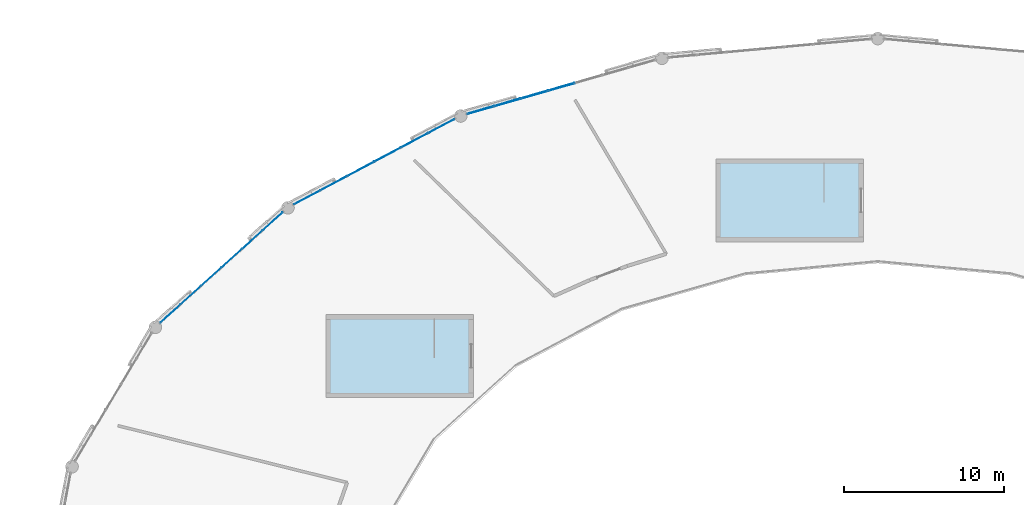
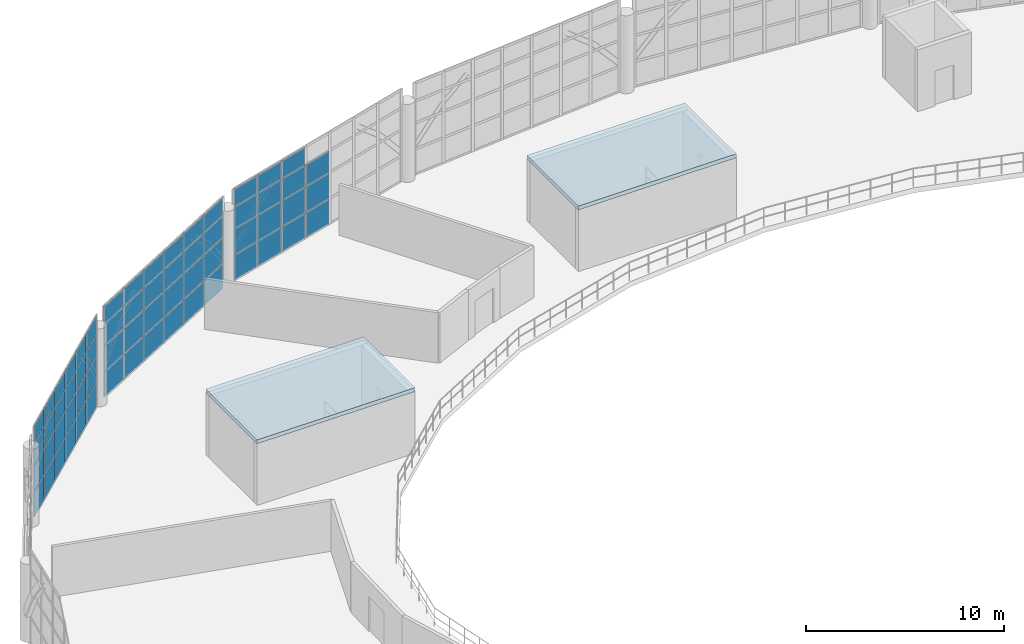
# One storey, part 69 of 109: 63 plates, 2 slabs, 3 elements without a shape of their own.
"""IFC4 building model written with IfcOpenShell, lengths in metres."""

from ifc_helpers import new_model, si_unit, direction, frame, origin, origin_2d, place, context, subcontext, project, spatial, polyline, rectangle, outline, extrude, material, layer, layer_set, type_object, element, aggregate, save


model = new_model("IFC4")

# Units and contexts
model_context = context("Model", 3, precision=1e-05, world=origin(), true_north=direction((0.0, 1.0)))
body_context = subcontext(model_context, "Body", "Model", "MODEL_VIEW")
ifc_project = project(units=[si_unit("LENGTHUNIT", "METRE"), si_unit("AREAUNIT", "SQUARE_METRE"), si_unit("VOLUMEUNIT", "CUBIC_METRE"), si_unit("PLANEANGLEUNIT", "RADIAN"), si_unit("MASSUNIT", "GRAM", prefix="KILO")], contexts=[model_context])

# Site, building, storey
site_placement = place(None, origin())
site = spatial("IfcSite", under=ifc_project, at=site_placement, CompositionType="ELEMENT")
building_placement = place(site_placement, origin())
building = spatial("IfcBuilding", under=site, at=building_placement, Name="Kivolera Central Railway Station", CompositionType="ELEMENT")
storey_placement = place(building_placement, frame((0.0, 0.0, 9.60009765625)))
storey = spatial("IfcBuildingStorey", under=building, at=storey_placement, Name="L02", CompositionType="ELEMENT", Elevation=9.60009765625)

# Curtain wall, plates
ifc_material_1 = material(Name="Anodised aluminium", Category="aluminium")
ifc_layer_1 = layer(ifc_material_1, 0.179931640625, Name="Anodised aluminium")
ifc_layer_set_1 = layer_set([ifc_layer_1], Name="Anodised aluminium")
curtain_wall_type_1 = type_object("IfcCurtainWallType", Name="CW-SYS-09", PredefinedType="NOTDEFINED", material=ifc_layer_set_1)
curtain_wall_1_placement = place(storey_placement, origin())
curtain_wall_1 = element("IfcCurtainWall", 1, at=curtain_wall_1_placement, inside=storey, type_object=curtain_wall_type_1, Name="L02 Curtain Wall CW-L02-OVL-08", PredefinedType="NOTDEFINED")
ifc_material_2 = material(Name="Double low-E laminated glass", Category="glass")
ifc_layer_2 = layer(ifc_material_2, 0.02587890625, Name="Double low-E laminated glass")
ifc_layer_set_2 = layer_set([ifc_layer_2], Name="Double low-E laminated glass")
plate_type_1 = type_object("IfcPlateType", Name="CWP-GLZ-1", PredefinedType="CURTAIN_PANEL", material=ifc_layer_set_2)
plate_1_placement = place(storey_placement, frame((28.43701171875, 116.09765625, 0.057861328125), z_axis=(0.0, 0.0, 1.0), x_axis=(0.883170250772, 0.46905256438, 0.0)))
plate_1 = element("IfcPlate", 2, at=plate_1_placement, type_object=plate_type_1, Name="CW-09 panel 1.1", PredefinedType="CURTAIN_PANEL", context=body_context, shape_type="SweptSolid", body=[
    extrude(rectangle(XDim=1.818115234375, YDim=0.02587890625, at=origin_2d()), origin(), (0.0, 0.0, 1.0), 1.51904296875),
])
plate_2_placement = place(storey_placement, frame((28.43701171875, 116.09765625, 1.623046875), z_axis=(0.0, 0.0, 1.0), x_axis=(0.883170250772, 0.46905256438, 0.0)))
plate_2 = element("IfcPlate", 3, at=plate_2_placement, type_object=plate_type_1, Name="CW-09 panel 1.2", PredefinedType="CURTAIN_PANEL", context=body_context, shape_type="SweptSolid", body=[
    extrude(rectangle(XDim=1.818115234375, YDim=0.02587890625, at=origin_2d()), origin(), (0.0, 0.0, 1.0), 1.553955078125),
])
plate_3_placement = place(storey_placement, frame((28.43701171875, 116.09765625, 3.22314453125), z_axis=(0.0, 0.0, 1.0), x_axis=(0.883170250772, 0.46905256438, 0.0)))
plate_3 = element("IfcPlate", 4, at=plate_3_placement, type_object=plate_type_1, Name="CW-09 panel 1.3", PredefinedType="CURTAIN_PANEL", context=body_context, shape_type="SweptSolid", body=[
    extrude(rectangle(XDim=1.818115234375, YDim=0.02587890625, at=origin_2d()), origin(), (0.0, 0.0, 1.0), 1.303955078125),
])
plate_4_placement = place(storey_placement, frame((28.43701171875, 116.09765625, 4.57275390625), z_axis=(0.0, 0.0, 1.0), x_axis=(0.883170250772, 0.46905256438, 0.0)))
plate_4 = element("IfcPlate", 5, at=plate_4_placement, type_object=plate_type_1, Name="CW-09 panel 1.4", PredefinedType="CURTAIN_PANEL", context=body_context, shape_type="SweptSolid", body=[
    extrude(rectangle(XDim=1.818115234375, YDim=0.02587890625, at=origin_2d()), origin(), (0.0, 0.0, 1.0), 1.069091796875),
])
plate_5_placement = place(storey_placement, frame((30.09912109375, 116.980224609375, 0.057861328125), z_axis=(0.0, 0.0, 1.0), x_axis=(0.883170250772, 0.46905256438, 0.0)))
plate_5 = element("IfcPlate", 6, at=plate_5_placement, type_object=plate_type_1, Name="CW-09 panel 2.1", PredefinedType="CURTAIN_PANEL", context=body_context, shape_type="SweptSolid", body=[
    extrude(rectangle(XDim=1.853271484375, YDim=0.02587890625, at=origin_2d()), origin(), (0.0, 0.0, 1.0), 1.51904296875),
])
plate_6_placement = place(storey_placement, frame((30.09912109375, 116.980224609375, 1.623046875), z_axis=(0.0, 0.0, 1.0), x_axis=(0.883170250772, 0.46905256438, 0.0)))
plate_6 = element("IfcPlate", 7, at=plate_6_placement, type_object=plate_type_1, Name="CW-09 panel 2.2", PredefinedType="CURTAIN_PANEL", context=body_context, shape_type="SweptSolid", body=[
    extrude(rectangle(XDim=1.853271484375, YDim=0.02587890625, at=origin_2d()), origin(), (0.0, 0.0, 1.0), 1.553955078125),
])
plate_7_placement = place(storey_placement, frame((30.09912109375, 116.980224609375, 3.22314453125), z_axis=(0.0, 0.0, 1.0), x_axis=(0.883170250772, 0.46905256438, 0.0)))
plate_7 = element("IfcPlate", 8, at=plate_7_placement, type_object=plate_type_1, Name="CW-09 panel 2.3", PredefinedType="CURTAIN_PANEL", context=body_context, shape_type="SweptSolid", body=[
    extrude(rectangle(XDim=1.853271484375, YDim=0.02587890625, at=origin_2d()), origin(), (0.0, 0.0, 1.0), 1.303955078125),
])
plate_8_placement = place(storey_placement, frame((30.09912109375, 116.980224609375, 4.57275390625), z_axis=(0.0, 0.0, 1.0), x_axis=(0.883170250772, 0.46905256438, 0.0)))
plate_8 = element("IfcPlate", 9, at=plate_8_placement, type_object=plate_type_1, Name="CW-09 panel 2.4", PredefinedType="CURTAIN_PANEL", context=body_context, shape_type="SweptSolid", body=[
    extrude(rectangle(XDim=1.853271484375, YDim=0.02587890625, at=origin_2d()), origin(), (0.0, 0.0, 1.0), 1.069091796875),
])
plate_9_placement = place(storey_placement, frame((31.7763671875, 117.87109375, 0.057861328125), z_axis=(0.0, 0.0, 1.0), x_axis=(0.883170250772, 0.46905256438, 0.0)))
plate_9 = element("IfcPlate", 10, at=plate_9_placement, type_object=plate_type_1, Name="CW-09 panel 3.1", PredefinedType="CURTAIN_PANEL", context=body_context, shape_type="SweptSolid", body=[
    extrude(rectangle(XDim=1.853271484375, YDim=0.02587890625, at=origin_2d()), origin(), (0.0, 0.0, 1.0), 1.51904296875),
])
plate_10_placement = place(storey_placement, frame((31.7763671875, 117.87109375, 1.623046875), z_axis=(0.0, 0.0, 1.0), x_axis=(0.883170250772, 0.46905256438, 0.0)))
plate_10 = element("IfcPlate", 11, at=plate_10_placement, type_object=plate_type_1, Name="CW-09 panel 3.2", PredefinedType="CURTAIN_PANEL", context=body_context, shape_type="SweptSolid", body=[
    extrude(rectangle(XDim=1.853271484375, YDim=0.02587890625, at=origin_2d()), origin(), (0.0, 0.0, 1.0), 1.553955078125),
])
plate_11_placement = place(storey_placement, frame((31.7763671875, 117.87109375, 3.22314453125), z_axis=(0.0, 0.0, 1.0), x_axis=(0.883170250772, 0.46905256438, 0.0)))
plate_11 = element("IfcPlate", 12, at=plate_11_placement, type_object=plate_type_1, Name="CW-09 panel 3.3", PredefinedType="CURTAIN_PANEL", context=body_context, shape_type="SweptSolid", body=[
    extrude(rectangle(XDim=1.853271484375, YDim=0.02587890625, at=origin_2d()), origin(), (0.0, 0.0, 1.0), 1.303955078125),
])
plate_12_placement = place(storey_placement, frame((31.7763671875, 117.87109375, 4.57275390625), z_axis=(0.0, 0.0, 1.0), x_axis=(0.883170250772, 0.46905256438, 0.0)))
plate_12 = element("IfcPlate", 13, at=plate_12_placement, type_object=plate_type_1, Name="CW-09 panel 3.4", PredefinedType="CURTAIN_PANEL", context=body_context, shape_type="SweptSolid", body=[
    extrude(rectangle(XDim=1.853271484375, YDim=0.02587890625, at=origin_2d()), origin(), (0.0, 0.0, 1.0), 1.069091796875),
])
plate_13_placement = place(storey_placement, frame((33.45361328125, 118.761962890625, 0.057861328125), z_axis=(0.0, 0.0, 1.0), x_axis=(0.883170250772, 0.46905256438, 0.0)))
plate_13 = element("IfcPlate", 14, at=plate_13_placement, type_object=plate_type_1, Name="CW-09 panel 4.1", PredefinedType="CURTAIN_PANEL", context=body_context, shape_type="SweptSolid", body=[
    extrude(rectangle(XDim=1.853271484375, YDim=0.02587890625, at=origin_2d()), origin(), (0.0, 0.0, 1.0), 1.51904296875),
])
plate_14_placement = place(storey_placement, frame((33.45361328125, 118.761962890625, 1.623046875), z_axis=(0.0, 0.0, 1.0), x_axis=(0.883170250772, 0.46905256438, 0.0)))
plate_14 = element("IfcPlate", 15, at=plate_14_placement, type_object=plate_type_1, Name="CW-09 panel 4.2", PredefinedType="CURTAIN_PANEL", context=body_context, shape_type="SweptSolid", body=[
    extrude(rectangle(XDim=1.853271484375, YDim=0.02587890625, at=origin_2d()), origin(), (0.0, 0.0, 1.0), 1.553955078125),
])
plate_15_placement = place(storey_placement, frame((33.45361328125, 118.761962890625, 3.22314453125), z_axis=(0.0, 0.0, 1.0), x_axis=(0.883170250772, 0.46905256438, 0.0)))
plate_15 = element("IfcPlate", 16, at=plate_15_placement, type_object=plate_type_1, Name="CW-09 panel 4.3", PredefinedType="CURTAIN_PANEL", context=body_context, shape_type="SweptSolid", body=[
    extrude(rectangle(XDim=1.853271484375, YDim=0.02587890625, at=origin_2d()), origin(), (0.0, 0.0, 1.0), 1.303955078125),
])
plate_16_placement = place(storey_placement, frame((33.45361328125, 118.761962890625, 4.57275390625), z_axis=(0.0, 0.0, 1.0), x_axis=(0.883170250772, 0.46905256438, 0.0)))
plate_16 = element("IfcPlate", 17, at=plate_16_placement, type_object=plate_type_1, Name="CW-09 panel 4.4", PredefinedType="CURTAIN_PANEL", context=body_context, shape_type="SweptSolid", body=[
    extrude(rectangle(XDim=1.853271484375, YDim=0.02587890625, at=origin_2d()), origin(), (0.0, 0.0, 1.0), 1.069091796875),
])
plate_17_placement = place(storey_placement, frame((35.131103515625, 119.65283203125, 0.057861328125), z_axis=(0.0, 0.0, 1.0), x_axis=(0.883170250772, 0.46905256438, 0.0)))
plate_17 = element("IfcPlate", 18, at=plate_17_placement, type_object=plate_type_1, Name="CW-09 panel 5.1", PredefinedType="CURTAIN_PANEL", context=body_context, shape_type="SweptSolid", body=[
    extrude(rectangle(XDim=1.853271484375, YDim=0.02587890625, at=origin_2d()), origin(), (0.0, 0.0, 1.0), 1.51904296875),
])
plate_18_placement = place(storey_placement, frame((35.131103515625, 119.65283203125, 1.623046875), z_axis=(0.0, 0.0, 1.0), x_axis=(0.883170250772, 0.46905256438, 0.0)))
plate_18 = element("IfcPlate", 19, at=plate_18_placement, type_object=plate_type_1, Name="CW-09 panel 5.2", PredefinedType="CURTAIN_PANEL", context=body_context, shape_type="SweptSolid", body=[
    extrude(rectangle(XDim=1.853271484375, YDim=0.02587890625, at=origin_2d()), origin(), (0.0, 0.0, 1.0), 1.553955078125),
])
plate_19_placement = place(storey_placement, frame((35.131103515625, 119.65283203125, 3.22314453125), z_axis=(0.0, 0.0, 1.0), x_axis=(0.883170250772, 0.46905256438, 0.0)))
plate_19 = element("IfcPlate", 20, at=plate_19_placement, type_object=plate_type_1, Name="CW-09 panel 5.3", PredefinedType="CURTAIN_PANEL", context=body_context, shape_type="SweptSolid", body=[
    extrude(rectangle(XDim=1.853271484375, YDim=0.02587890625, at=origin_2d()), origin(), (0.0, 0.0, 1.0), 1.303955078125),
])
plate_20_placement = place(storey_placement, frame((35.131103515625, 119.65283203125, 4.57275390625), z_axis=(0.0, 0.0, 1.0), x_axis=(0.883170250772, 0.46905256438, 0.0)))
plate_20 = element("IfcPlate", 21, at=plate_20_placement, type_object=plate_type_1, Name="CW-09 panel 5.4", PredefinedType="CURTAIN_PANEL", context=body_context, shape_type="SweptSolid", body=[
    extrude(rectangle(XDim=1.853271484375, YDim=0.02587890625, at=origin_2d()), origin(), (0.0, 0.0, 1.0), 1.069091796875),
])
plate_21_placement = place(storey_placement, frame((36.79296875, 120.535400390625, 0.057861328125), z_axis=(0.0, 0.0, 1.0), x_axis=(0.883170250772, 0.46905256438, 0.0)))
plate_21 = element("IfcPlate", 22, at=plate_21_placement, type_object=plate_type_1, Name="CW-09 panel 6.1", PredefinedType="CURTAIN_PANEL", context=body_context, shape_type="SweptSolid", body=[
    extrude(rectangle(XDim=1.818115234375, YDim=0.02587890625, at=origin_2d()), origin(), (0.0, 0.0, 1.0), 1.51904296875),
])
plate_22_placement = place(storey_placement, frame((36.79296875, 120.535400390625, 1.623046875), z_axis=(0.0, 0.0, 1.0), x_axis=(0.883170250772, 0.46905256438, 0.0)))
plate_22 = element("IfcPlate", 23, at=plate_22_placement, type_object=plate_type_1, Name="CW-09 panel 6.2", PredefinedType="CURTAIN_PANEL", context=body_context, shape_type="SweptSolid", body=[
    extrude(rectangle(XDim=1.818115234375, YDim=0.02587890625, at=origin_2d()), origin(), (0.0, 0.0, 1.0), 1.553955078125),
])
plate_23_placement = place(storey_placement, frame((36.79296875, 120.535400390625, 3.22314453125), z_axis=(0.0, 0.0, 1.0), x_axis=(0.883170250772, 0.46905256438, 0.0)))
plate_23 = element("IfcPlate", 24, at=plate_23_placement, type_object=plate_type_1, Name="CW-09 panel 6.3", PredefinedType="CURTAIN_PANEL", context=body_context, shape_type="SweptSolid", body=[
    extrude(rectangle(XDim=1.818115234375, YDim=0.02587890625, at=origin_2d()), origin(), (0.0, 0.0, 1.0), 1.303955078125),
])
plate_24_placement = place(storey_placement, frame((36.79296875, 120.535400390625, 4.57275390625), z_axis=(0.0, 0.0, 1.0), x_axis=(0.883170250772, 0.46905256438, 0.0)))
plate_24 = element("IfcPlate", 25, at=plate_24_placement, type_object=plate_type_1, Name="CW-09 panel 6.4", PredefinedType="CURTAIN_PANEL", context=body_context, shape_type="SweptSolid", body=[
    extrude(rectangle(XDim=1.818115234375, YDim=0.02587890625, at=origin_2d()), origin(), (0.0, 0.0, 1.0), 1.069091796875),
])
aggregate(curtain_wall_1, [plate_1, plate_2, plate_3, plate_4, plate_5, plate_6, plate_7, plate_8, plate_9, plate_10, plate_11, plate_12, plate_13, plate_14, plate_15, plate_16, plate_17, plate_18, plate_19, plate_20, plate_21, plate_22, plate_23, plate_24])

ifc_layer_3 = layer(ifc_material_1, 0.179931640625, Name="Anodised aluminium")
ifc_layer_set_3 = layer_set([ifc_layer_3], Name="Anodised aluminium")
curtain_wall_type_2 = type_object("IfcCurtainWallType", Name="CW-SYS-06", PredefinedType="NOTDEFINED", material=ifc_layer_set_3)
curtain_wall_2_placement = place(storey_placement, origin())
curtain_wall_2 = element("IfcCurtainWall", 26, at=curtain_wall_2_placement, inside=storey, type_object=curtain_wall_type_2, Name="L02 Curtain Wall CW-L02-OVL-09", PredefinedType="NOTDEFINED")
ifc_layer_4 = layer(ifc_material_2, 0.030029296875, Name="Double low-E laminated glass")
ifc_layer_set_4 = layer_set([ifc_layer_4], Name="Double low-E laminated glass")
plate_type_2 = type_object("IfcPlateType", Name="CWP-GLZ-2", PredefinedType="CURTAIN_PANEL", material=ifc_layer_set_4)
plate_25_placement = place(storey_placement, frame((19.916015625, 108.8564453125, 0.057861328125), z_axis=(0.0, 0.0, 1.0), x_axis=(0.742431873669, 0.669921572246, 0.0)))
plate_25 = element("IfcPlate", 27, at=plate_25_placement, type_object=plate_type_2, Name="CW-06 panel 1.1", PredefinedType="CURTAIN_PANEL", context=body_context, shape_type="SweptSolid", body=[
    extrude(rectangle(XDim=1.640625, YDim=0.030029296875, at=origin_2d()), origin(), (0.0, 0.0, 1.0), 1.51904296875),
])
plate_26_placement = place(storey_placement, frame((19.916015625, 108.8564453125, 1.623046875), z_axis=(0.0, 0.0, 1.0), x_axis=(0.742431873669, 0.669921572246, 0.0)))
plate_26 = element("IfcPlate", 28, at=plate_26_placement, type_object=plate_type_2, Name="CW-06 panel 1.2", PredefinedType="CURTAIN_PANEL", context=body_context, shape_type="SweptSolid", body=[
    extrude(rectangle(XDim=1.640625, YDim=0.030029296875, at=origin_2d()), origin(), (0.0, 0.0, 1.0), 1.553955078125),
])
plate_27_placement = place(storey_placement, frame((19.916015625, 108.8564453125, 3.22314453125), z_axis=(0.0, 0.0, 1.0), x_axis=(0.742431873669, 0.669921572246, 0.0)))
plate_27 = element("IfcPlate", 29, at=plate_27_placement, type_object=plate_type_2, Name="CW-06 panel 1.3", PredefinedType="CURTAIN_PANEL", context=body_context, shape_type="SweptSolid", body=[
    extrude(rectangle(XDim=1.640625, YDim=0.030029296875, at=origin_2d()), origin(), (0.0, 0.0, 1.0), 1.303955078125),
])
plate_28_placement = place(storey_placement, frame((19.916015625, 108.8564453125, 4.57275390625), z_axis=(0.0, 0.0, 1.0), x_axis=(0.742431873669, 0.669921572246, 0.0)))
plate_28 = element("IfcPlate", 30, at=plate_28_placement, type_object=plate_type_2, Name="CW-06 panel 1.4", PredefinedType="CURTAIN_PANEL", context=body_context, shape_type="SweptSolid", body=[
    extrude(rectangle(XDim=1.640625, YDim=0.030029296875, at=origin_2d()), origin(), (0.0, 0.0, 1.0), 1.069091796875),
])
plate_29_placement = place(storey_placement, frame((21.18115234375, 109.998046875, 0.057861328125), z_axis=(0.0, 0.0, 1.0), x_axis=(0.742431873669, 0.669921572246, 0.0)))
plate_29 = element("IfcPlate", 31, at=plate_29_placement, type_object=plate_type_2, Name="CW-06 panel 2.1", PredefinedType="CURTAIN_PANEL", context=body_context, shape_type="SweptSolid", body=[
    extrude(rectangle(XDim=1.675537109375, YDim=0.030029296875, at=origin_2d()), origin(), (0.0, 0.0, 1.0), 1.51904296875),
])
plate_30_placement = place(storey_placement, frame((21.18115234375, 109.998046875, 1.623046875), z_axis=(0.0, 0.0, 1.0), x_axis=(0.742431873669, 0.669921572246, 0.0)))
plate_30 = element("IfcPlate", 32, at=plate_30_placement, type_object=plate_type_2, Name="CW-06 panel 2.2", PredefinedType="CURTAIN_PANEL", context=body_context, shape_type="SweptSolid", body=[
    extrude(rectangle(XDim=1.675537109375, YDim=0.030029296875, at=origin_2d()), origin(), (0.0, 0.0, 1.0), 1.553955078125),
])
plate_31_placement = place(storey_placement, frame((21.18115234375, 109.998046875, 3.22314453125), z_axis=(0.0, 0.0, 1.0), x_axis=(0.742431873669, 0.669921572246, 0.0)))
plate_31 = element("IfcPlate", 33, at=plate_31_placement, type_object=plate_type_2, Name="CW-06 panel 2.3", PredefinedType="CURTAIN_PANEL", context=body_context, shape_type="SweptSolid", body=[
    extrude(rectangle(XDim=1.675537109375, YDim=0.030029296875, at=origin_2d()), origin(), (0.0, 0.0, 1.0), 1.303955078125),
])
plate_32_placement = place(storey_placement, frame((21.18115234375, 109.998046875, 4.57275390625), z_axis=(0.0, 0.0, 1.0), x_axis=(0.742431873669, 0.669921572246, 0.0)))
plate_32 = element("IfcPlate", 34, at=plate_32_placement, type_object=plate_type_2, Name="CW-06 panel 2.4", PredefinedType="CURTAIN_PANEL", context=body_context, shape_type="SweptSolid", body=[
    extrude(rectangle(XDim=1.675537109375, YDim=0.030029296875, at=origin_2d()), origin(), (0.0, 0.0, 1.0), 1.069091796875),
])
plate_33_placement = place(storey_placement, frame((22.45947265625, 111.1513671875, 0.057861328125), z_axis=(0.0, 0.0, 1.0), x_axis=(0.742431873669, 0.669921572246, 0.0)))
plate_33 = element("IfcPlate", 35, at=plate_33_placement, type_object=plate_type_2, Name="CW-06 panel 3.1", PredefinedType="CURTAIN_PANEL", context=body_context, shape_type="SweptSolid", body=[
    extrude(rectangle(XDim=1.675537109375, YDim=0.030029296875, at=origin_2d()), origin(), (0.0, 0.0, 1.0), 1.51904296875),
])
plate_34_placement = place(storey_placement, frame((22.45947265625, 111.1513671875, 1.623046875), z_axis=(0.0, 0.0, 1.0), x_axis=(0.742431873669, 0.669921572246, 0.0)))
plate_34 = element("IfcPlate", 36, at=plate_34_placement, type_object=plate_type_2, Name="CW-06 panel 3.2", PredefinedType="CURTAIN_PANEL", context=body_context, shape_type="SweptSolid", body=[
    extrude(rectangle(XDim=1.675537109375, YDim=0.030029296875, at=origin_2d()), origin(), (0.0, 0.0, 1.0), 1.553955078125),
])
plate_35_placement = place(storey_placement, frame((22.45947265625, 111.1513671875, 3.22314453125), z_axis=(0.0, 0.0, 1.0), x_axis=(0.742431873669, 0.669921572246, 0.0)))
plate_35 = element("IfcPlate", 37, at=plate_35_placement, type_object=plate_type_2, Name="CW-06 panel 3.3", PredefinedType="CURTAIN_PANEL", context=body_context, shape_type="SweptSolid", body=[
    extrude(rectangle(XDim=1.675537109375, YDim=0.030029296875, at=origin_2d()), origin(), (0.0, 0.0, 1.0), 1.303955078125),
])
plate_36_placement = place(storey_placement, frame((22.45947265625, 111.1513671875, 4.57275390625), z_axis=(0.0, 0.0, 1.0), x_axis=(0.742431873669, 0.669921572246, 0.0)))
plate_36 = element("IfcPlate", 38, at=plate_36_placement, type_object=plate_type_2, Name="CW-06 panel 3.4", PredefinedType="CURTAIN_PANEL", context=body_context, shape_type="SweptSolid", body=[
    extrude(rectangle(XDim=1.675537109375, YDim=0.030029296875, at=origin_2d()), origin(), (0.0, 0.0, 1.0), 1.069091796875),
])
plate_37_placement = place(storey_placement, frame((23.737548828125, 112.3046875, 0.057861328125), z_axis=(0.0, 0.0, 1.0), x_axis=(0.742431873669, 0.669921572246, 0.0)))
plate_37 = element("IfcPlate", 39, at=plate_37_placement, type_object=plate_type_2, Name="CW-06 panel 4.1", PredefinedType="CURTAIN_PANEL", context=body_context, shape_type="SweptSolid", body=[
    extrude(rectangle(XDim=1.675537109375, YDim=0.030029296875, at=origin_2d()), origin(), (0.0, 0.0, 1.0), 1.51904296875),
])
plate_38_placement = place(storey_placement, frame((23.737548828125, 112.3046875, 1.623046875), z_axis=(0.0, 0.0, 1.0), x_axis=(0.742431873669, 0.669921572246, 0.0)))
plate_38 = element("IfcPlate", 40, at=plate_38_placement, type_object=plate_type_2, Name="CW-06 panel 4.2", PredefinedType="CURTAIN_PANEL", context=body_context, shape_type="SweptSolid", body=[
    extrude(rectangle(XDim=1.675537109375, YDim=0.030029296875, at=origin_2d()), origin(), (0.0, 0.0, 1.0), 1.553955078125),
])
plate_39_placement = place(storey_placement, frame((23.737548828125, 112.3046875, 3.22314453125), z_axis=(0.0, 0.0, 1.0), x_axis=(0.742431873669, 0.669921572246, 0.0)))
plate_39 = element("IfcPlate", 41, at=plate_39_placement, type_object=plate_type_2, Name="CW-06 panel 4.3", PredefinedType="CURTAIN_PANEL", context=body_context, shape_type="SweptSolid", body=[
    extrude(rectangle(XDim=1.675537109375, YDim=0.030029296875, at=origin_2d()), origin(), (0.0, 0.0, 1.0), 1.303955078125),
])
plate_40_placement = place(storey_placement, frame((23.737548828125, 112.3046875, 4.57275390625), z_axis=(0.0, 0.0, 1.0), x_axis=(0.742431873669, 0.669921572246, 0.0)))
plate_40 = element("IfcPlate", 42, at=plate_40_placement, type_object=plate_type_2, Name="CW-06 panel 4.4", PredefinedType="CURTAIN_PANEL", context=body_context, shape_type="SweptSolid", body=[
    extrude(rectangle(XDim=1.675537109375, YDim=0.030029296875, at=origin_2d()), origin(), (0.0, 0.0, 1.0), 1.069091796875),
])
plate_41_placement = place(storey_placement, frame((25.015869140625, 113.4580078125, 0.057861328125), z_axis=(0.0, 0.0, 1.0), x_axis=(0.742431873669, 0.669921572246, 0.0)))
plate_41 = element("IfcPlate", 43, at=plate_41_placement, type_object=plate_type_2, Name="CW-06 panel 5.1", PredefinedType="CURTAIN_PANEL", context=body_context, shape_type="SweptSolid", body=[
    extrude(rectangle(XDim=1.675537109375, YDim=0.030029296875, at=origin_2d()), origin(), (0.0, 0.0, 1.0), 1.51904296875),
])
plate_42_placement = place(storey_placement, frame((25.015869140625, 113.4580078125, 1.623046875), z_axis=(0.0, 0.0, 1.0), x_axis=(0.742431873669, 0.669921572246, 0.0)))
plate_42 = element("IfcPlate", 44, at=plate_42_placement, type_object=plate_type_2, Name="CW-06 panel 5.2", PredefinedType="CURTAIN_PANEL", context=body_context, shape_type="SweptSolid", body=[
    extrude(rectangle(XDim=1.675537109375, YDim=0.030029296875, at=origin_2d()), origin(), (0.0, 0.0, 1.0), 1.553955078125),
])
plate_43_placement = place(storey_placement, frame((25.015869140625, 113.4580078125, 3.22314453125), z_axis=(0.0, 0.0, 1.0), x_axis=(0.742431873669, 0.669921572246, 0.0)))
plate_43 = element("IfcPlate", 45, at=plate_43_placement, type_object=plate_type_2, Name="CW-06 panel 5.3", PredefinedType="CURTAIN_PANEL", context=body_context, shape_type="SweptSolid", body=[
    extrude(rectangle(XDim=1.675537109375, YDim=0.030029296875, at=origin_2d()), origin(), (0.0, 0.0, 1.0), 1.303955078125),
])
plate_44_placement = place(storey_placement, frame((25.015869140625, 113.4580078125, 4.57275390625), z_axis=(0.0, 0.0, 1.0), x_axis=(0.742431873669, 0.669921572246, 0.0)))
plate_44 = element("IfcPlate", 46, at=plate_44_placement, type_object=plate_type_2, Name="CW-06 panel 5.4", PredefinedType="CURTAIN_PANEL", context=body_context, shape_type="SweptSolid", body=[
    extrude(rectangle(XDim=1.675537109375, YDim=0.030029296875, at=origin_2d()), origin(), (0.0, 0.0, 1.0), 1.069091796875),
])
plate_45_placement = place(storey_placement, frame((26.281005859375, 114.599609375, 0.057861328125), z_axis=(0.0, 0.0, 1.0), x_axis=(0.742431873669, 0.669921572246, 0.0)))
plate_45 = element("IfcPlate", 47, at=plate_45_placement, type_object=plate_type_2, Name="CW-06 panel 6.1", PredefinedType="CURTAIN_PANEL", context=body_context, shape_type="SweptSolid", body=[
    extrude(rectangle(XDim=1.640625, YDim=0.030029296875, at=origin_2d()), origin(), (0.0, 0.0, 1.0), 1.51904296875),
])
plate_46_placement = place(storey_placement, frame((26.281005859375, 114.599609375, 1.623046875), z_axis=(0.0, 0.0, 1.0), x_axis=(0.742431873669, 0.669921572246, 0.0)))
plate_46 = element("IfcPlate", 48, at=plate_46_placement, type_object=plate_type_2, Name="CW-06 panel 6.2", PredefinedType="CURTAIN_PANEL", context=body_context, shape_type="SweptSolid", body=[
    extrude(rectangle(XDim=1.640625, YDim=0.030029296875, at=origin_2d()), origin(), (0.0, 0.0, 1.0), 1.553955078125),
])
plate_47_placement = place(storey_placement, frame((26.281005859375, 114.599609375, 3.22314453125), z_axis=(0.0, 0.0, 1.0), x_axis=(0.742431873669, 0.669921572246, 0.0)))
plate_47 = element("IfcPlate", 49, at=plate_47_placement, type_object=plate_type_2, Name="CW-06 panel 6.3", PredefinedType="CURTAIN_PANEL", context=body_context, shape_type="SweptSolid", body=[
    extrude(rectangle(XDim=1.640625, YDim=0.030029296875, at=origin_2d()), origin(), (0.0, 0.0, 1.0), 1.303955078125),
])
plate_48_placement = place(storey_placement, frame((26.281005859375, 114.599609375, 4.57275390625), z_axis=(0.0, 0.0, 1.0), x_axis=(0.742431873669, 0.669921572246, 0.0)))
plate_48 = element("IfcPlate", 50, at=plate_48_placement, type_object=plate_type_2, Name="CW-06 panel 6.4", PredefinedType="CURTAIN_PANEL", context=body_context, shape_type="SweptSolid", body=[
    extrude(rectangle(XDim=1.640625, YDim=0.030029296875, at=origin_2d()), origin(), (0.0, 0.0, 1.0), 1.069091796875),
])
aggregate(curtain_wall_2, [plate_25, plate_26, plate_27, plate_28, plate_29, plate_30, plate_31, plate_32, plate_33, plate_34, plate_35, plate_36, plate_37, plate_38, plate_39, plate_40, plate_41, plate_42, plate_43, plate_44, plate_45, plate_46, plate_47, plate_48])

ifc_layer_5 = layer(ifc_material_1, 0.179931640625, Name="Anodised aluminium")
ifc_layer_set_5 = layer_set([ifc_layer_5], Name="Anodised aluminium")
curtain_wall_type_3 = type_object("IfcCurtainWallType", Name="CW-SYS-11", PredefinedType="NOTDEFINED", material=ifc_layer_set_5)
curtain_wall_3_placement = place(storey_placement, origin())
curtain_wall_3 = element("IfcCurtainWall", 51, at=curtain_wall_3_placement, inside=storey, type_object=curtain_wall_type_3, Name="L02 Curtain Wall CW-L02-OVL-07", PredefinedType="NOTDEFINED")
ifc_layer_6 = layer(ifc_material_2, 0.0419921875, Name="Double low-E laminated glass")
ifc_layer_set_6 = layer_set([ifc_layer_6], Name="Double low-E laminated glass")
plate_type_3 = type_object("IfcPlateType", Name="CWP-GLZ-5", PredefinedType="CURTAIN_PANEL", material=ifc_layer_set_6)
plate_49_placement = place(storey_placement, frame((39.24267578125, 121.532958984375, 0.057861328125), z_axis=(0.0, 0.0, 1.0), x_axis=(0.961246112288, 0.275691696668, 0.0)))
plate_49 = element("IfcPlate", 52, at=plate_49_placement, type_object=plate_type_3, Name="CW-11 panel 1.1", PredefinedType="CURTAIN_PANEL", context=body_context, shape_type="SweptSolid", body=[
    extrude(rectangle(XDim=1.66845703125, YDim=0.0419921875, at=origin_2d()), origin(), (0.0, 0.0, 1.0), 1.51904296875),
])
plate_50_placement = place(storey_placement, frame((39.24267578125, 121.532958984375, 1.623046875), z_axis=(0.0, 0.0, 1.0), x_axis=(0.961246112288, 0.275691696668, 0.0)))
plate_50 = element("IfcPlate", 53, at=plate_50_placement, type_object=plate_type_3, Name="CW-11 panel 1.2", PredefinedType="CURTAIN_PANEL", context=body_context, shape_type="SweptSolid", body=[
    extrude(rectangle(XDim=1.66845703125, YDim=0.0419921875, at=origin_2d()), origin(), (0.0, 0.0, 1.0), 1.553955078125),
])
plate_51_placement = place(storey_placement, frame((39.24267578125, 121.532958984375, 3.22314453125), z_axis=(0.0, 0.0, 1.0), x_axis=(0.961246112288, 0.275691696668, 0.0)))
plate_51 = element("IfcPlate", 54, at=plate_51_placement, type_object=plate_type_3, Name="CW-11 panel 1.3", PredefinedType="CURTAIN_PANEL", context=body_context, shape_type="SweptSolid", body=[
    extrude(rectangle(XDim=1.66845703125, YDim=0.0419921875, at=origin_2d()), origin(), (0.0, 0.0, 1.0), 1.303955078125),
])
plate_52_placement = place(storey_placement, frame((39.24267578125, 121.532958984375, 4.57275390625), z_axis=(0.0, 0.0, 1.0), x_axis=(0.961246112288, 0.275691696668, 0.0)))
plate_52 = element("IfcPlate", 55, at=plate_52_placement, type_object=plate_type_3, Name="CW-11 panel 1.4", PredefinedType="CURTAIN_PANEL", context=body_context, shape_type="SweptSolid", body=[
    extrude(rectangle(XDim=1.66845703125, YDim=0.0419921875, at=origin_2d()), origin(), (0.0, 0.0, 1.0), 1.069091796875),
])
plate_53_placement = place(storey_placement, frame((40.907470703125, 122.010498046875, 0.057861328125), z_axis=(0.0, 0.0, 1.0), x_axis=(0.961246112288, 0.275691696668, 0.0)))
plate_53 = element("IfcPlate", 56, at=plate_53_placement, type_object=plate_type_3, Name="CW-11 panel 2.1", PredefinedType="CURTAIN_PANEL", context=body_context, shape_type="SweptSolid", body=[
    extrude(rectangle(XDim=1.703369140625, YDim=0.0419921875, at=origin_2d()), origin(), (0.0, 0.0, 1.0), 1.51904296875),
])
plate_54_placement = place(storey_placement, frame((40.907470703125, 122.010498046875, 1.623046875), z_axis=(0.0, 0.0, 1.0), x_axis=(0.961246112288, 0.275691696668, 0.0)))
plate_54 = element("IfcPlate", 57, at=plate_54_placement, type_object=plate_type_3, Name="CW-11 panel 2.2", PredefinedType="CURTAIN_PANEL", context=body_context, shape_type="SweptSolid", body=[
    extrude(rectangle(XDim=1.703369140625, YDim=0.0419921875, at=origin_2d()), origin(), (0.0, 0.0, 1.0), 1.553955078125),
])
plate_55_placement = place(storey_placement, frame((40.907470703125, 122.010498046875, 3.22314453125), z_axis=(0.0, 0.0, 1.0), x_axis=(0.961246112288, 0.275691696668, 0.0)))
plate_55 = element("IfcPlate", 58, at=plate_55_placement, type_object=plate_type_3, Name="CW-11 panel 2.3", PredefinedType="CURTAIN_PANEL", context=body_context, shape_type="SweptSolid", body=[
    extrude(rectangle(XDim=1.703369140625, YDim=0.0419921875, at=origin_2d()), origin(), (0.0, 0.0, 1.0), 1.303955078125),
])
plate_56_placement = place(storey_placement, frame((40.907470703125, 122.010498046875, 4.57275390625), z_axis=(0.0, 0.0, 1.0), x_axis=(0.961246112288, 0.275691696668, 0.0)))
plate_56 = element("IfcPlate", 59, at=plate_56_placement, type_object=plate_type_3, Name="CW-11 panel 2.4", PredefinedType="CURTAIN_PANEL", context=body_context, shape_type="SweptSolid", body=[
    extrude(rectangle(XDim=1.703369140625, YDim=0.0419921875, at=origin_2d()), origin(), (0.0, 0.0, 1.0), 1.069091796875),
])
plate_57_placement = place(storey_placement, frame((42.5888671875, 122.49267578125, 0.057861328125), z_axis=(0.0, 0.0, 1.0), x_axis=(0.961246112288, 0.275691696668, 0.0)))
plate_57 = element("IfcPlate", 60, at=plate_57_placement, type_object=plate_type_3, Name="CW-11 panel 3.1", PredefinedType="CURTAIN_PANEL", context=body_context, shape_type="SweptSolid", body=[
    extrude(rectangle(XDim=1.703369140625, YDim=0.0419921875, at=origin_2d()), origin(), (0.0, 0.0, 1.0), 1.51904296875),
])
plate_58_placement = place(storey_placement, frame((42.5888671875, 122.49267578125, 1.623046875), z_axis=(0.0, 0.0, 1.0), x_axis=(0.961246112288, 0.275691696668, 0.0)))
plate_58 = element("IfcPlate", 61, at=plate_58_placement, type_object=plate_type_3, Name="CW-11 panel 3.2", PredefinedType="CURTAIN_PANEL", context=body_context, shape_type="SweptSolid", body=[
    extrude(rectangle(XDim=1.703369140625, YDim=0.0419921875, at=origin_2d()), origin(), (0.0, 0.0, 1.0), 1.553955078125),
])
plate_59_placement = place(storey_placement, frame((42.5888671875, 122.49267578125, 3.22314453125), z_axis=(0.0, 0.0, 1.0), x_axis=(0.961246112288, 0.275691696668, 0.0)))
plate_59 = element("IfcPlate", 62, at=plate_59_placement, type_object=plate_type_3, Name="CW-11 panel 3.3", PredefinedType="CURTAIN_PANEL", context=body_context, shape_type="SweptSolid", body=[
    extrude(rectangle(XDim=1.703369140625, YDim=0.0419921875, at=origin_2d()), origin(), (0.0, 0.0, 1.0), 1.303955078125),
])
plate_60_placement = place(storey_placement, frame((42.5888671875, 122.49267578125, 4.57275390625), z_axis=(0.0, 0.0, 1.0), x_axis=(0.961246112288, 0.275691696668, 0.0)))
plate_60 = element("IfcPlate", 63, at=plate_60_placement, type_object=plate_type_3, Name="CW-11 panel 3.4", PredefinedType="CURTAIN_PANEL", context=body_context, shape_type="SweptSolid", body=[
    extrude(rectangle(XDim=1.703369140625, YDim=0.0419921875, at=origin_2d()), origin(), (0.0, 0.0, 1.0), 1.069091796875),
])
plate_61_placement = place(storey_placement, frame((44.2705078125, 122.97509765625, 0.057861328125), z_axis=(0.0, 0.0, 1.0), x_axis=(0.961246112288, 0.275691696668, 0.0)))
plate_61 = element("IfcPlate", 64, at=plate_61_placement, type_object=plate_type_3, Name="CW-11 panel 4.1", PredefinedType="CURTAIN_PANEL", context=body_context, shape_type="SweptSolid", body=[
    extrude(rectangle(XDim=1.703369140625, YDim=0.0419921875, at=origin_2d()), origin(), (0.0, 0.0, 1.0), 1.51904296875),
])
plate_62_placement = place(storey_placement, frame((44.2705078125, 122.97509765625, 1.623046875), z_axis=(0.0, 0.0, 1.0), x_axis=(0.961246112288, 0.275691696668, 0.0)))
plate_62 = element("IfcPlate", 65, at=plate_62_placement, type_object=plate_type_3, Name="CW-11 panel 4.2", PredefinedType="CURTAIN_PANEL", context=body_context, shape_type="SweptSolid", body=[
    extrude(rectangle(XDim=1.703369140625, YDim=0.0419921875, at=origin_2d()), origin(), (0.0, 0.0, 1.0), 1.553955078125),
])
plate_63_placement = place(storey_placement, frame((44.2705078125, 122.97509765625, 3.22314453125), z_axis=(0.0, 0.0, 1.0), x_axis=(0.961246112288, 0.275691696668, 0.0)))
plate_63 = element("IfcPlate", 66, at=plate_63_placement, type_object=plate_type_3, Name="CW-11 panel 4.3", PredefinedType="CURTAIN_PANEL", context=body_context, shape_type="SweptSolid", body=[
    extrude(rectangle(XDim=1.703369140625, YDim=0.0419921875, at=origin_2d()), origin(), (0.0, 0.0, 1.0), 1.303955078125),
])
aggregate(curtain_wall_3, [plate_49, plate_50, plate_51, plate_52, plate_53, plate_54, plate_55, plate_56, plate_57, plate_58, plate_59, plate_60, plate_61, plate_62, plate_63])

# Slabs
ifc_material_3 = material(Name="Concrete C40/50", Category="concrete")
ifc_layer_7 = layer(ifc_material_3, 0.22998046875, Name="Concrete C40/50")
ifc_layer_set_7 = layer_set([ifc_layer_7], Name="Concrete C40/50")
slab_type = type_object("IfcSlabType", Name="SLB-FLR-230", PredefinedType="FLOOR", material=ifc_layer_set_7)
slab_1_placement = place(storey_placement, frame((0.0, 0.0, 3.7998046875)))
element("IfcSlab", 67, at=slab_1_placement, inside=storey, type_object=slab_type, Name="L02 Stair ST5 Enclosure Roof Cap Slab", PredefinedType="FLOOR", context=body_context, shape_type="SweptSolid", body=[
    extrude(outline(polyline([(63.10009765625, 118.5), (53.89990234375, 118.5), (53.89990234375, 113.320068359375), (63.10009765625, 113.320068359375), (63.10009765625, 118.5)])), origin(), (0.0, 0.0, 1.0), 0.22998046875),
])
slab_2_placement = place(storey_placement, frame((0.0, 0.0, 3.7998046875)))
element("IfcSlab", 68, at=slab_2_placement, inside=storey, type_object=slab_type, Name="L02 Stair ST6 Enclosure Roof Cap Slab", PredefinedType="FLOOR", context=body_context, shape_type="SweptSolid", body=[
    extrude(outline(polyline([(38.800048828125, 108.800048828125), (29.60009765625, 108.800048828125), (29.60009765625, 103.6201171875), (38.800048828125, 103.6201171875), (38.800048828125, 108.800048828125)])), origin(), (0.0, 0.0, 1.0), 0.22998046875),
])

save(model, "model.ifc")
